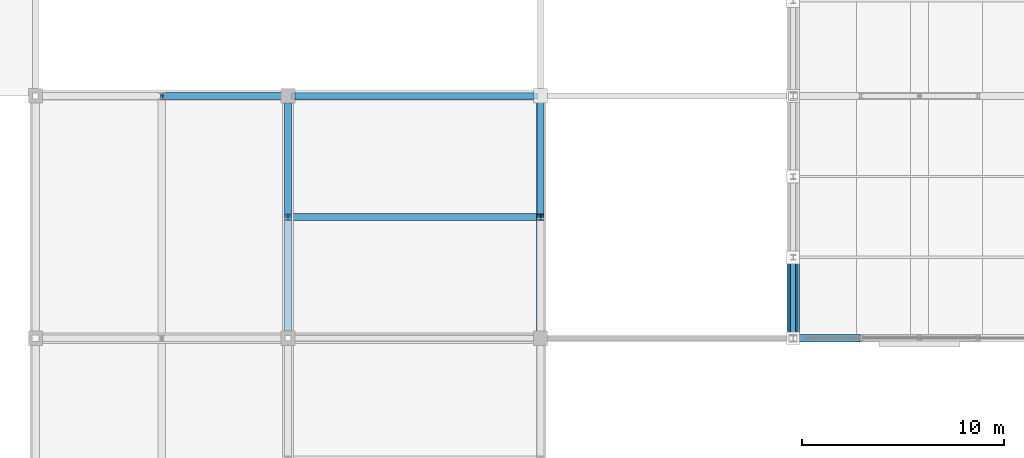
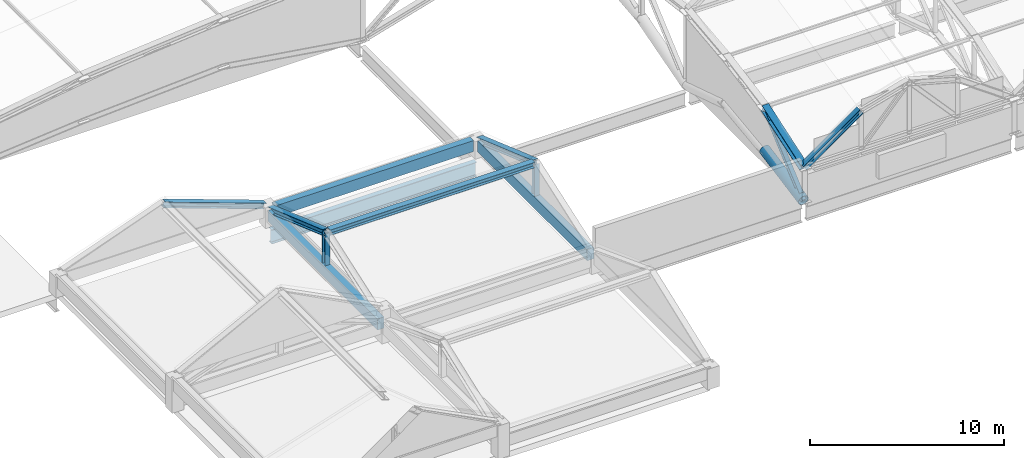
# One storey, part 7 of 117: 10 members, 4 beams.
"""IFC4 building model written with IfcOpenShell, lengths in metres."""

from ifc_helpers import new_model, si_unit, direction, frame, origin, origin_2d, place, context, subcontext, project, spatial, rectangle, hollow_circle, i_section, extrude, material, material_profile, profile_set, type_object, element, save


model = new_model("IFC4")

# Units and contexts
model_context = context("Model", 3, precision=1e-05, world=origin(), true_north=direction((0.0, 1.0)))
body_context = subcontext(model_context, "Body", "Model", "MODEL_VIEW")
ifc_project = project(units=[si_unit("LENGTHUNIT", "METRE"), si_unit("AREAUNIT", "SQUARE_METRE"), si_unit("VOLUMEUNIT", "CUBIC_METRE"), si_unit("PLANEANGLEUNIT", "RADIAN"), si_unit("MASSUNIT", "GRAM", prefix="KILO")], contexts=[model_context])

# Site, building, storey
site_placement = place(None, origin())
site = spatial("IfcSite", under=ifc_project, at=site_placement, CompositionType="ELEMENT")
building_placement = place(site_placement, origin())
building = spatial("IfcBuilding", under=site, at=building_placement, Name="Kazenohara Klinker Stadium", CompositionType="ELEMENT")
storey_placement = place(building_placement, frame((0.0, 0.0, 31.199951171875)))
storey = spatial("IfcBuildingStorey", under=building, at=storey_placement, Name="RF", CompositionType="ELEMENT", Elevation=31.199951171875)

# Beams
ifc_material_1 = material(Name="Concrete C40/50", Category="concrete")
ifc_material_profile_1 = material_profile(ifc_material_1, rectangle(XDim=0.39990234375, YDim=0.699951171875, at=origin_2d()), Name="RC-BM-400x700")
ifc_profile_set_1 = profile_set([ifc_material_profile_1], Name="Concrete C40/50")
beam_type_1 = type_object("IfcBeamType", Name="BM-RC04", PredefinedType="BEAM", material=ifc_profile_set_1)
beam_1_placement = place(storey_placement, frame((36.5, 24.35009765625, 0.75), z_axis=(0.0, 1.0, 0.0), x_axis=(-1.0, 0.0, 0.0)))
element("IfcBeam", 1, at=beam_1_placement, inside=storey, type_object=beam_type_1, Name="Turret crown eave girder BG04 RF Y3-2", PredefinedType="BEAM", context=body_context, shape_type="SweptSolid", body=[
    extrude(rectangle(XDim=0.39990234375, YDim=0.699951171875, at=origin_2d()), origin(), (0.0, 0.0, 1.0), 11.2998046875),
])
beam_2_placement = place(storey_placement, frame((36.85009765625, 36.0, 0.75), z_axis=(1.0, 0.0, 0.0), x_axis=(0.0, 1.0, 0.0)))
element("IfcBeam", 2, at=beam_2_placement, inside=storey, type_object=beam_type_1, Name="Turret crown eave girder BG04 RF X3-3", PredefinedType="BEAM", context=body_context, shape_type="SweptSolid", body=[
    extrude(rectangle(XDim=0.39990234375, YDim=0.699951171875, at=origin_2d()), origin(), (0.0, 0.0, 1.0), 11.7998046875),
])
beam_3_placement = place(storey_placement, frame((49.0, 24.35009765625, 0.75), z_axis=(0.0, 1.0, 0.0), x_axis=(-1.0, 0.0, 0.0)))
element("IfcBeam", 3, at=beam_3_placement, inside=storey, type_object=beam_type_1, Name="Turret crown eave girder BG04 RF Y4-2", PredefinedType="BEAM", context=body_context, shape_type="SweptSolid", body=[
    extrude(rectangle(XDim=0.39990234375, YDim=0.699951171875, at=origin_2d()), origin(), (0.0, 0.0, 1.0), 11.2998046875),
])

# Members
ifc_material_2 = material(Name="Steel S355", Category="steel")
ifc_material_profile_2 = material_profile(ifc_material_2, i_section(OverallWidth=0.25, OverallDepth=0.25, WebThickness=0.009033203125, FlangeThickness=0.013916015625, FilletRadius=0.012939453125, at=origin_2d()), Name="H-250x250x9x14")
ifc_profile_set_2 = profile_set([ifc_material_profile_2], Name="Steel S355")
member_type_1 = type_object("IfcMemberType", Name="MEM-BRC02", PredefinedType="BRACE", material=ifc_profile_set_2)
member_1_placement = place(storey_placement, frame((61.5, 24.0, -0.02001953125), z_axis=(0.0, 0.755380190588, 0.655286782765), x_axis=(-1.0, 0.0, 0.0)))
element("IfcMember", 4, at=member_1_placement, inside=storey, type_object=member_type_1, Name="ROOF TRUSS RT-S01 web diagonal 1", PredefinedType="BRACE", context=body_context, shape_type="SweptSolid", body=[
    extrude(i_section(OverallWidth=0.25, OverallDepth=0.25, WebThickness=0.009033203125, FlangeThickness=0.013916015625, FilletRadius=0.012939453125, at=origin_2d()), origin(), (0.0, 0.0, 1.0), 5.29541015625),
])
ifc_material_profile_3 = material_profile(ifc_material_2, i_section(OverallWidth=0.39990234375, OverallDepth=0.39990234375, WebThickness=0.012939453125, FlangeThickness=0.02099609375, FilletRadius=0.02197265625, at=origin_2d()), Name="H-400x400x13x21")
ifc_profile_set_3 = profile_set([ifc_material_profile_3], Name="Steel S355")
member_type_2 = type_object("IfcMemberType", Name="MEM-CHD01", PredefinedType="CHORD", material=ifc_profile_set_3)
member_2_placement = place(storey_placement, frame((61.5, 24.0, 2.10009765625), z_axis=(0.0, 0.947502791724, 0.319747493618), x_axis=(-1.0, 0.0, 0.0)))
element("IfcMember", 5, at=member_2_placement, inside=storey, type_object=member_type_2, Name="ROOF TRUSS RT-S01 top arched chord 1", PredefinedType="CHORD", context=body_context, shape_type="SweptSolid", body=[
    extrude(i_section(OverallWidth=0.39990234375, OverallDepth=0.39990234375, WebThickness=0.012939453125, FlangeThickness=0.02099609375, FilletRadius=0.02197265625, at=origin_2d()), origin(), (0.0, 0.0, 1.0), 4.2216796875),
])
ifc_material_profile_4 = material_profile(ifc_material_2, i_section(OverallWidth=0.35009765625, OverallDepth=0.35009765625, WebThickness=0.011962890625, FlangeThickness=0.01904296875, FilletRadius=0.012939453125, at=origin_2d()), Name="H-350x350x12x19")
ifc_profile_set_4 = profile_set([ifc_material_profile_4], Name="Steel S355")
member_type_3 = type_object("IfcMemberType", Name="MEM-CHD02", PredefinedType="CHORD", material=ifc_profile_set_4)
member_3_placement = place(storey_placement, frame((36.25, 36.0, 1.280029296875), z_axis=(-0.940390807712, 0.0, 0.340095764117), x_axis=(0.0, -1.0, 0.0)))
element("IfcMember", 6, at=member_3_placement, inside=storey, type_object=member_type_3, Name="Crown gable rafter GT2-NW N East", PredefinedType="CHORD", context=body_context, shape_type="SweptSolid", body=[
    extrude(i_section(OverallWidth=0.35009765625, OverallDepth=0.35009765625, WebThickness=0.011962890625, FlangeThickness=0.01904296875, FilletRadius=0.012939453125, at=origin_2d()), origin(), (0.0, 0.0, 1.0), 6.38037109375),
])
for number, where, z_axis, x_axis, name in (
    (7, (36.5, 35.75, 1.080078125), (0.0, -0.943473005792, 0.331449373723), (1.0, 0.0, 0.0), "Crown gable rafter GT2-NE W North"),
    (8, (49.0, 35.75, 1.080078125), (0.0, -0.943473005792, 0.331449373723), (1.0, 0.0, 0.0), "Crown gable rafter GT2-NE E North"),
):
    element("IfcMember", number, at=place(storey_placement, frame(where, z_axis=z_axis, x_axis=x_axis)), inside=storey, type_object=member_type_3, Name=name, PredefinedType="CHORD", context=body_context, shape_type="SweptSolid", body=[
        extrude(i_section(OverallWidth=0.35009765625, OverallDepth=0.35009765625, WebThickness=0.011962890625, FlangeThickness=0.01904296875, FilletRadius=0.012939453125, at=origin_2d()), origin(), (0.0, 0.0, 1.0), 6.094482421875),
    ])
member_4_placement = place(storey_placement, frame((36.64990234375, 30.0, 3.10009765625), z_axis=(1.0, 0.0, 0.0), x_axis=(0.0, 1.0, 0.0)))
element("IfcMember", 9, at=member_4_placement, inside=storey, type_object=member_type_3, Name="Crown ridge beam GT2-NE", PredefinedType="CHORD", context=body_context, shape_type="SweptSolid", body=[
    extrude(i_section(OverallWidth=0.35009765625, OverallDepth=0.35009765625, WebThickness=0.011962890625, FlangeThickness=0.01904296875, FilletRadius=0.012939453125, at=origin_2d()), origin(), (0.0, 0.0, 1.0), 12.2001953125),
])
member_5_placement = place(storey_placement, frame((61.5, 24.0, 2.10009765625), z_axis=(0.814966461491, 0.0, 0.579508124744), x_axis=(0.0, 1.0, 0.0)))
element("IfcMember", 10, at=member_5_placement, inside=storey, type_object=member_type_3, Name="Barrel arch top rib TC02 S-01-N0-S1", PredefinedType="CHORD", context=body_context, shape_type="SweptSolid", body=[
    extrude(i_section(OverallWidth=0.35009765625, OverallDepth=0.35009765625, WebThickness=0.011962890625, FlangeThickness=0.01904296875, FilletRadius=0.012939453125, at=origin_2d()), origin(), (0.0, 0.0, 1.0), 4.141357421875),
])
ifc_material_profile_5 = material_profile(ifc_material_2, hollow_circle(Radius=0.3046875, WallThickness=0.01611328125, at=origin_2d()), Name="CHS-609.6x16")
ifc_profile_set_5 = profile_set([ifc_material_profile_5], Name="Steel S355")
member_type_4 = type_object("IfcMemberType", Name="MEM-CHD05", PredefinedType="CHORD", material=ifc_profile_set_5)
member_6_placement = place(storey_placement, frame((61.5, 24.0, -0.02001953125), z_axis=(0.0, 0.981970519692, 0.189034119819), x_axis=(-1.0, 0.0, 0.0)))
element("IfcMember", 11, at=member_6_placement, inside=storey, type_object=member_type_4, Name="ROOF TRUSS RT-S01 bottom arched chord 1", PredefinedType="CHORD", context=body_context, shape_type="SweptSolid", body=[
    extrude(hollow_circle(Radius=0.3046875, WallThickness=0.01611328125, at=origin_2d()), origin(), (0.0, 0.0, 1.0), 4.073486328125),
])
ifc_material_profile_6 = material_profile(ifc_material_2, i_section(OverallWidth=0.300048828125, OverallDepth=0.300048828125, WebThickness=0.010009765625, FlangeThickness=0.014892578125, FilletRadius=0.012939453125, at=origin_2d()), Name="H-300x300x10x15")
ifc_profile_set_6 = profile_set([ifc_material_profile_6], Name="Steel S355")
member_type_5 = type_object("IfcMemberType", Name="MEM-STR01", PredefinedType="STRUT", material=ifc_profile_set_6)
for number, where, z_axis, x_axis, name in (
    (12, (36.5, 30.0, 1.080078125), (0.0, 0.0, 1.0), (1.0, 0.0, 0.0), "Crown gable king-post GT2-NE W"),
    (13, (49.0, 30.0, 1.080078125), (0.0, 0.0, 1.0), (1.0, 0.0, 0.0), "Crown gable king-post GT2-NE E"),
):
    element("IfcMember", number, at=place(storey_placement, frame(where, z_axis=z_axis, x_axis=x_axis)), inside=storey, type_object=member_type_5, Name=name, PredefinedType="STRUT", context=body_context, shape_type="SweptSolid", body=[
        extrude(i_section(OverallWidth=0.300048828125, OverallDepth=0.300048828125, WebThickness=0.010009765625, FlangeThickness=0.014892578125, FilletRadius=0.012939453125, at=origin_2d()), origin(), (0.0, 0.0, 1.0), 2.02001953125),
    ])

# Beam
ifc_material_profile_7 = material_profile(ifc_material_2, i_section(OverallWidth=0.300048828125, OverallDepth=0.89990234375, WebThickness=0.01611328125, FlangeThickness=0.028076171875, FilletRadius=0.02197265625, at=origin_2d()), Name="H-900x300x16x28")
ifc_profile_set_7 = profile_set([ifc_material_profile_7], Name="Steel S355")
beam_type_2 = type_object("IfcBeamType", Name="RING-RB01", PredefinedType="USERDEFINED", material=ifc_profile_set_7)
beam_4_placement = place(storey_placement, frame((36.639892578125, 36.0, -0.820068359375), z_axis=(1.0, 0.0, 0.0), x_axis=(0.0, 1.0, 0.0)))
element("IfcBeam", 14, at=beam_4_placement, inside=storey, type_object=beam_type_2, Name="Roof ring beam RB01 S-IN 4-5", ObjectType="RING BEAM", PredefinedType="USERDEFINED", context=body_context, shape_type="SweptSolid", body=[
    extrude(i_section(OverallWidth=0.300048828125, OverallDepth=0.89990234375, WebThickness=0.01611328125, FlangeThickness=0.028076171875, FilletRadius=0.02197265625, at=origin_2d()), origin(), (0.0, 0.0, 1.0), 12.22021484375),
])

save(model, "model.ifc")
